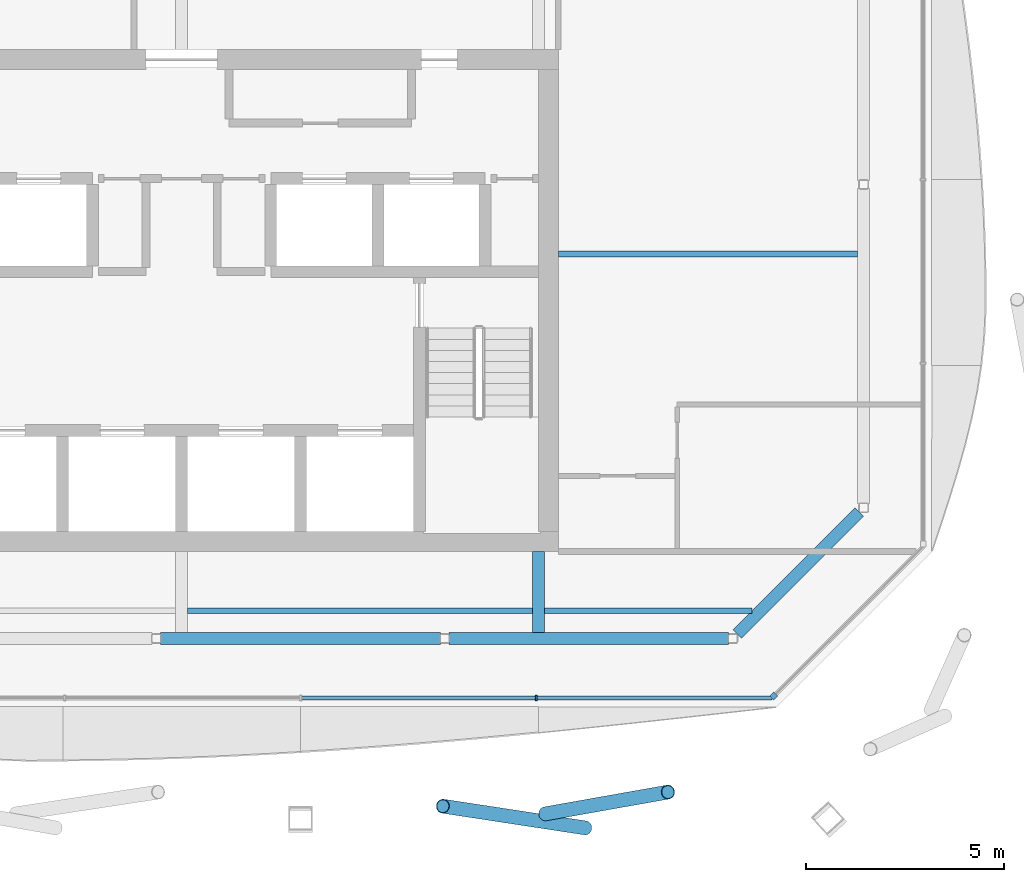
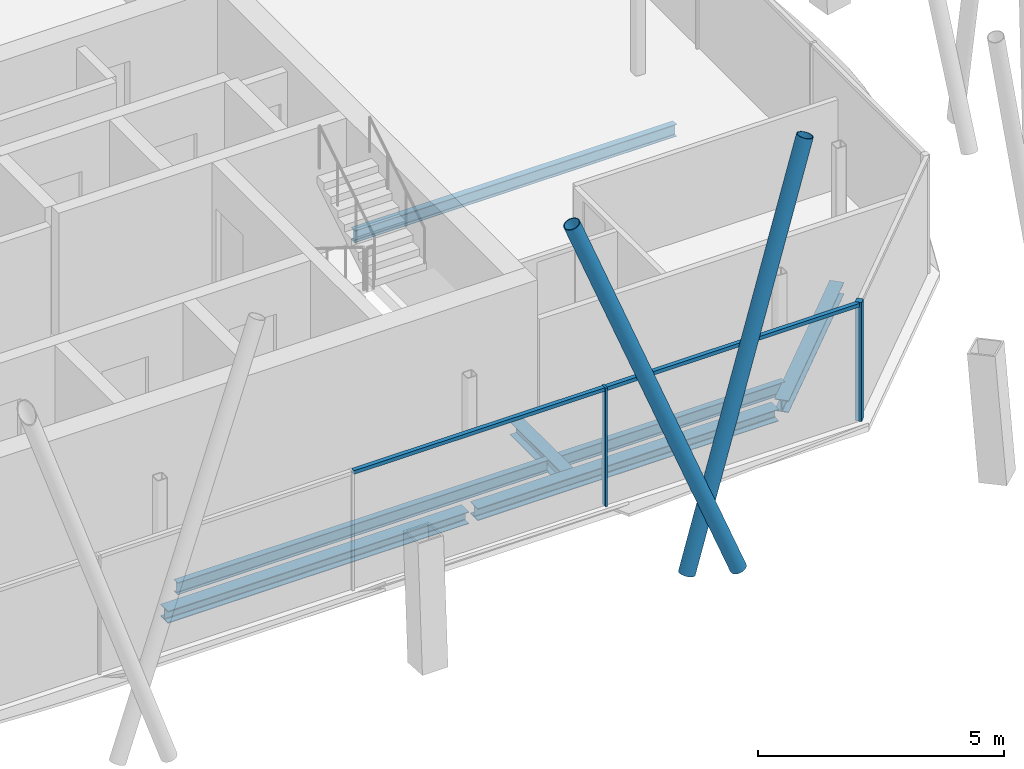
# One storey, part 4 of 13: 7 beams, 6 members, 2 elements without a shape of their own.
"""IFC4 building model written with IfcOpenShell, lengths in metres."""

from ifc_helpers import new_model, si_unit, direction, frame, origin, origin_2d, place, context, subcontext, project, spatial, rectangle, hollow_circle, i_section, extrude, material, material_profile, profile_set, type_object, element, aggregate, save


model = new_model("IFC4")

# Units and contexts
model_context = context("Model", 3, precision=1e-05, world=origin(), true_north=direction((0.0, 1.0)))
body_context = subcontext(model_context, "Body", "Model", "MODEL_VIEW")
ifc_project = project(units=[si_unit("LENGTHUNIT", "METRE"), si_unit("AREAUNIT", "SQUARE_METRE"), si_unit("VOLUMEUNIT", "CUBIC_METRE"), si_unit("PLANEANGLEUNIT", "RADIAN"), si_unit("MASSUNIT", "GRAM", prefix="KILO")], contexts=[model_context])

# Site, building, storey
site_placement = place(None, origin())
site = spatial("IfcSite", under=ifc_project, at=site_placement, CompositionType="ELEMENT")
building_placement = place(site_placement, origin())
building = spatial("IfcBuilding", under=site, at=building_placement, Name="Tskaro Facet Tower", CompositionType="ELEMENT")
storey_placement = place(building_placement, frame((0.0, 0.0, 278.39990234375)))
storey = spatial("IfcBuildingStorey", under=building, at=storey_placement, Name="L74", CompositionType="ELEMENT", Elevation=278.39990234375)

# Members
ifc_material_1 = material(Name="Steel S355J2H", Category="steel")
ifc_material_profile_1 = material_profile(ifc_material_1, hollow_circle(Radius=0.177734375, WallThickness=0.01611328125, at=origin_2d()), Name="CHS 355.6x16")
ifc_profile_set_1 = profile_set([ifc_material_profile_1], Name="Steel S355J2H")
member_type_1 = type_object("IfcMemberType", Name="CHS 355.6x16 brace", PredefinedType="BRACE", material=ifc_profile_set_1)
member_1_placement = place(storey_placement, frame((9.177001953125, -18.61962890625, 0.0), z_axis=(0.310168029901, 0.054996592179, 0.949089652286), x_axis=(-0.174588984972, 0.984641399864, 0.0)))
element("IfcMember", 1, at=member_1_placement, inside=storey, type_object=member_type_1, Name="CHS 355.6x16 XB02A/6", PredefinedType="BRACE", context=body_context, shape_type="SweptSolid", body=[
    extrude(hollow_circle(Radius=0.177734375, WallThickness=0.01611328125, at=origin_2d()), origin(), (0.0, 0.0, 1.0), 9.95703125),
])
member_2_placement = place(storey_placement, frame((10.177490234375, -18.975341796875, 0.0), z_axis=(-0.354485639778, 0.054116999501, 0.933494125079), x_axis=(-0.150914953856, -0.988546749882, 0.0)))
element("IfcMember", 2, at=member_2_placement, inside=storey, type_object=member_type_1, Name="CHS 355.6x16 XB02B/6", PredefinedType="BRACE", context=body_context, shape_type="SweptSolid", body=[
    extrude(hollow_circle(Radius=0.177734375, WallThickness=0.01611328125, at=origin_2d()), origin(), (0.0, 0.0, 1.0), 10.12353515625),
])

# Curtain wall, member
ifc_material_2 = material(Name="Bronze anodised aluminium 6063-T6", Category="aluminium")
curtain_wall_type = type_object("IfcCurtainWallType", Name="Bronze residence curtain wall (FW3)", PredefinedType="NOTDEFINED", material=ifc_material_2)
curtain_wall_1_placement = place(storey_placement, origin())
curtain_wall_1 = element("IfcCurtainWall", 3, at=curtain_wall_1_placement, inside=storey, type_object=curtain_wall_type, Name="FW3 south-east facet L74", PredefinedType="NOTDEFINED")
ifc_material_profile_2 = material_profile(ifc_material_2, rectangle(XDim=0.139892578125, YDim=0.139892578125, at=origin_2d()), Name="Corner post 140x140")
ifc_profile_set_2 = profile_set([ifc_material_profile_2], Name="Bronze anodised aluminium 6063-T6")
member_type_2 = type_object("IfcMemberType", Name="FW3 bronze corner post 140x140", PredefinedType="MULLION", material=ifc_profile_set_2)
member_3_placement = place(storey_placement, frame((14.9365234375, -15.6484375, 0.0), z_axis=(0.0, 0.0, 1.0), x_axis=(0.707106781187, 0.707106781187, 0.0)))
member_3 = element("IfcMember", 4, at=member_3_placement, type_object=member_type_2, Name="FW3 south-east corner post", PredefinedType="MULLION", context=body_context, shape_type="SweptSolid", body=[
    extrude(rectangle(XDim=0.139892578125, YDim=0.139892578125, at=origin_2d()), origin(), (0.0, 0.0, 1.0), 2.9501953125),
])
aggregate(curtain_wall_1, [member_3])

# Curtain wall, members
curtain_wall_2_placement = place(storey_placement, origin())
curtain_wall_2 = element("IfcCurtainWall", 5, at=curtain_wall_2_placement, inside=storey, type_object=curtain_wall_type, Name="FW3 south facet L74", PredefinedType="NOTDEFINED")
ifc_material_profile_3 = material_profile(ifc_material_2, rectangle(XDim=0.050048828125, YDim=0.139892578125, at=origin_2d()), Name="Mullion 50x140")
ifc_profile_set_3 = profile_set([ifc_material_profile_3], Name="Bronze anodised aluminium 6063-T6")
member_type_3 = type_object("IfcMemberType", Name="FW3 bronze mullion 50x140", PredefinedType="MULLION", material=ifc_profile_set_3)
member_4_placement = place(storey_placement, frame((8.943603515625, -15.697998046875, 0.0), z_axis=(0.0, 0.0, 1.0), x_axis=(1.0, 0.0, 0.0)))
member_4 = element("IfcMember", 6, at=member_4_placement, type_object=member_type_3, Name="FW3 south mullion 3", PredefinedType="MULLION", context=body_context, shape_type="SweptSolid", body=[
    extrude(rectangle(XDim=0.050048828125, YDim=0.139892578125, at=origin_2d()), origin(), (0.0, 0.0, 1.0), 2.9501953125),
])
ifc_material_profile_4 = material_profile(ifc_material_2, rectangle(XDim=0.10009765625, YDim=0.090087890625, at=origin_2d()), Name="Transom 100x90")
ifc_profile_set_4 = profile_set([ifc_material_profile_4], Name="Bronze anodised aluminium 6063-T6")
member_type_4 = type_object("IfcMemberType", Name="FW3 bronze transom 100x90", PredefinedType="USERDEFINED", material=ifc_profile_set_4)
member_5_placement = place(storey_placement, frame((3.02490234375, -15.697998046875, 2.905029296875), z_axis=(1.0, 0.0, 0.0), x_axis=(0.0, 1.0, 0.0)))
member_5 = element("IfcMember", 7, at=member_5_placement, type_object=member_type_4, Name="FW3 south transom 3.1", ObjectType="TRANSOM", PredefinedType="USERDEFINED", context=body_context, shape_type="SweptSolid", body=[
    extrude(rectangle(XDim=0.10009765625, YDim=0.090087890625, at=origin_2d()), origin(), (0.0, 0.0, 1.0), 5.8935546875),
])
member_6_placement = place(storey_placement, frame((8.968505859375, -15.697998046875, 2.905029296875), z_axis=(1.0, 0.0, 0.0), x_axis=(0.0, 1.0, 0.0)))
member_6 = element("IfcMember", 8, at=member_6_placement, type_object=member_type_4, Name="FW3 south transom 4.1", ObjectType="TRANSOM", PredefinedType="USERDEFINED", context=body_context, shape_type="SweptSolid", body=[
    extrude(rectangle(XDim=0.10009765625, YDim=0.090087890625, at=origin_2d()), origin(), (0.0, 0.0, 1.0), 5.91845703125),
])
aggregate(curtain_wall_2, [member_4, member_5, member_6])

# Beams
ifc_material_3 = material(Name="Steel S355J2", Category="steel")
ifc_material_profile_5 = material_profile(ifc_material_3, i_section(OverallWidth=0.300048828125, OverallDepth=0.300048828125, WebThickness=0.010986328125, FlangeThickness=0.01904296875, FilletRadius=0.027099609375, at=origin_2d()), Name="HE 300 B")
ifc_profile_set_5 = profile_set([ifc_material_profile_5], Name="Steel S355J2")
beam_type_1 = type_object("IfcBeamType", Name="HE 300 B ring beam", PredefinedType="BEAM", material=ifc_profile_set_5)
beam_1_placement = place(storey_placement, frame((-0.529052734375, -14.199951171875, -0.289794921875), z_axis=(1.0, 0.0, 0.0), x_axis=(0.0, 1.0, 0.0)))
element("IfcBeam", 9, at=beam_1_placement, inside=storey, type_object=beam_type_1, Name="HE 300 B EB2-6", PredefinedType="BEAM", context=body_context, shape_type="SweptSolid", body=[
    extrude(i_section(OverallWidth=0.300048828125, OverallDepth=0.300048828125, WebThickness=0.010986328125, FlangeThickness=0.01904296875, FilletRadius=0.027099609375, at=origin_2d()), origin(), (0.0, 0.0, 1.0), 7.05810546875),
])
beam_2_placement = place(storey_placement, frame((6.739013671875, -14.199951171875, -0.289794921875), z_axis=(1.0, 0.0, 0.0), x_axis=(0.0, 1.0, 0.0)))
element("IfcBeam", 10, at=beam_2_placement, inside=storey, type_object=beam_type_1, Name="HE 300 B EB3-6", PredefinedType="BEAM", context=body_context, shape_type="SweptSolid", body=[
    extrude(i_section(OverallWidth=0.300048828125, OverallDepth=0.300048828125, WebThickness=0.010986328125, FlangeThickness=0.01904296875, FilletRadius=0.027099609375, at=origin_2d()), origin(), (0.0, 0.0, 1.0), 7.05908203125),
])
beam_3_placement = place(storey_placement, frame((14.013916015625, -14.089111328125, -0.289794921875), z_axis=(0.707106781187, 0.707106781187, 0.0), x_axis=(-0.707106781187, 0.707106781187, 0.0)))
element("IfcBeam", 11, at=beam_3_placement, inside=storey, type_object=beam_type_1, Name="HE 300 B EB4-6", PredefinedType="BEAM", context=body_context, shape_type="SweptSolid", body=[
    extrude(i_section(OverallWidth=0.300048828125, OverallDepth=0.300048828125, WebThickness=0.010986328125, FlangeThickness=0.01904296875, FilletRadius=0.027099609375, at=origin_2d()), origin(), (0.0, 0.0, 1.0), 4.348876953125),
])
ifc_material_profile_6 = material_profile(ifc_material_3, i_section(OverallWidth=0.300048828125, OverallDepth=0.330078125, WebThickness=0.009521484375, FlangeThickness=0.0166015625, FilletRadius=0.027099609375, at=origin_2d()), Name="HE 340 A")
ifc_profile_set_6 = profile_set([ifc_material_profile_6], Name="Steel S355J2")
beam_type_2 = type_object("IfcBeamType", Name="HE 340 A girder", PredefinedType="BEAM", material=ifc_profile_set_6)
beam_4_placement = place(storey_placement, frame((9.0, -14.050048828125, -0.304931640625), z_axis=(0.0, 1.0, 0.0), x_axis=(-1.0, 0.0, 0.0)))
element("IfcBeam", 12, at=beam_4_placement, inside=storey, type_object=beam_type_2, Name="HE 340 A GB5-1-6", PredefinedType="BEAM", context=body_context, shape_type="SweptSolid", body=[
    extrude(i_section(OverallWidth=0.300048828125, OverallDepth=0.330078125, WebThickness=0.009521484375, FlangeThickness=0.0166015625, FilletRadius=0.027099609375, at=origin_2d()), origin(), (0.0, 0.0, 1.0), 2.050048828125),
])
ifc_material_profile_7 = material_profile(ifc_material_3, i_section(OverallWidth=0.14990234375, OverallDepth=0.300048828125, WebThickness=0.007080078125, FlangeThickness=0.0107421875, FilletRadius=0.014892578125, at=origin_2d()), Name="IPE 300")
ifc_profile_set_7 = profile_set([ifc_material_profile_7], Name="Steel S355J2")
beam_type_3 = type_object("IfcBeamType", Name="IPE 300 secondary beam", PredefinedType="BEAM", material=ifc_profile_set_7)
beam_5_placement = place(storey_placement, frame((0.14990234375, -13.5, -0.289794921875), z_axis=(1.0, 0.0, 0.0), x_axis=(0.0, 1.0, 0.0)))
element("IfcBeam", 13, at=beam_5_placement, inside=storey, type_object=beam_type_3, Name="IPE 300 SB2a-2-6", PredefinedType="BEAM", context=body_context, shape_type="SweptSolid", body=[
    extrude(i_section(OverallWidth=0.14990234375, OverallDepth=0.300048828125, WebThickness=0.007080078125, FlangeThickness=0.0107421875, FilletRadius=0.014892578125, at=origin_2d()), origin(), (0.0, 0.0, 1.0), 8.7001953125),
])
beam_6_placement = place(storey_placement, frame((9.14990234375, -13.5, -0.289794921875), z_axis=(1.0, 0.0, 0.0), x_axis=(0.0, 1.0, 0.0)))
element("IfcBeam", 14, at=beam_6_placement, inside=storey, type_object=beam_type_3, Name="IPE 300 SB2a-3-6", PredefinedType="BEAM", context=body_context, shape_type="SweptSolid", body=[
    extrude(i_section(OverallWidth=0.14990234375, OverallDepth=0.300048828125, WebThickness=0.007080078125, FlangeThickness=0.0107421875, FilletRadius=0.014892578125, at=origin_2d()), origin(), (0.0, 0.0, 1.0), 5.2412109375),
])
beam_7_placement = place(storey_placement, frame((9.5, -4.5, -0.289794921875), z_axis=(1.0, 0.0, 0.0), x_axis=(0.0, 1.0, 0.0)))
element("IfcBeam", 15, at=beam_7_placement, inside=storey, type_object=beam_type_3, Name="IPE 300 SB3a-2-6", PredefinedType="BEAM", context=body_context, shape_type="SweptSolid", body=[
    extrude(i_section(OverallWidth=0.14990234375, OverallDepth=0.300048828125, WebThickness=0.007080078125, FlangeThickness=0.0107421875, FilletRadius=0.014892578125, at=origin_2d()), origin(), (0.0, 0.0, 1.0), 7.550048828125),
])

save(model, "model.ifc")
